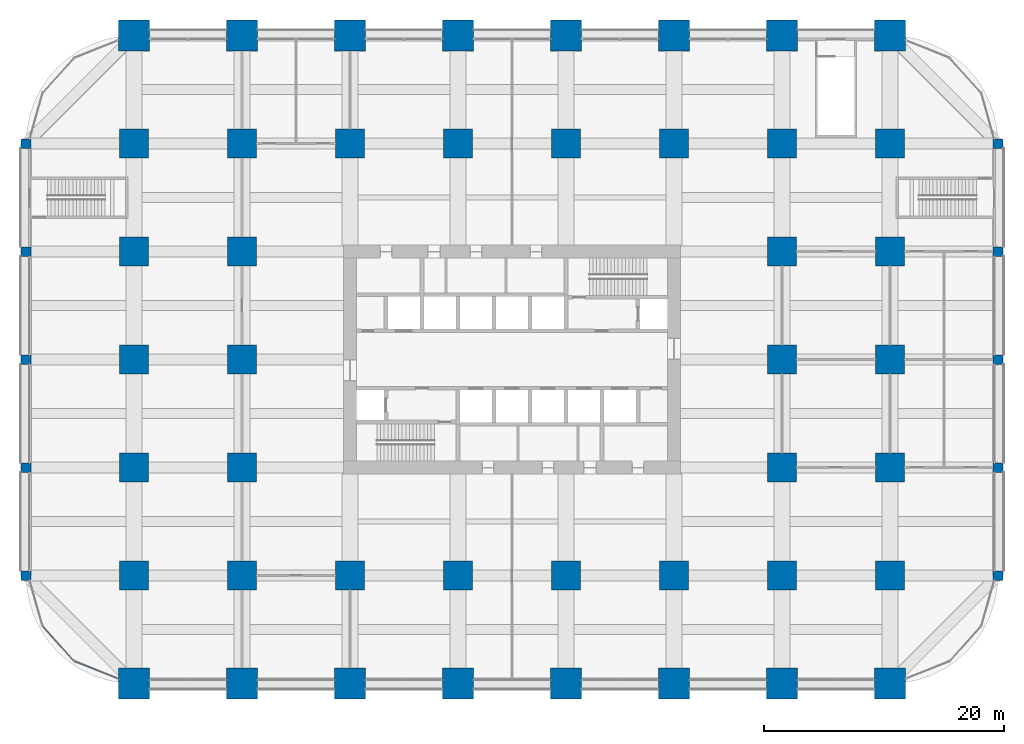
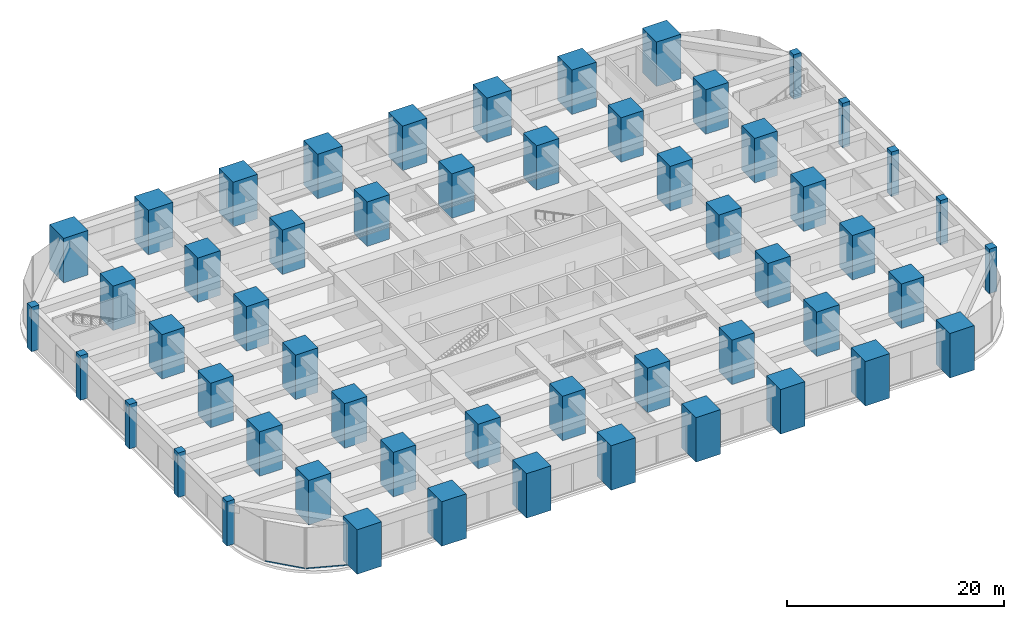
# One storey, part 1 of 46: 54 columns, 2 members, 2 elements without a shape of their own.
"""IFC4 building model written with IfcOpenShell, lengths in metres."""

from ifc_helpers import new_model, si_unit, direction, frame, origin, origin_2d, place, context, subcontext, project, spatial, rectangle, hollow_rectangle, extrude, material, material_profile, profile_set, type_object, element, aggregate, save


model = new_model("IFC4")

# Units and contexts
model_context = context("Model", 3, precision=1e-05, world=origin(), true_north=direction((0.0, 1.0)))
body_context = subcontext(model_context, "Body", "Model", "MODEL_VIEW")
ifc_project = project(units=[si_unit("LENGTHUNIT", "METRE"), si_unit("AREAUNIT", "SQUARE_METRE"), si_unit("VOLUMEUNIT", "CUBIC_METRE"), si_unit("PLANEANGLEUNIT", "RADIAN"), si_unit("MASSUNIT", "GRAM", prefix="KILO")], contexts=[model_context])

# Site, building, storey
site_placement = place(None, origin())
site = spatial("IfcSite", under=ifc_project, at=site_placement, CompositionType="ELEMENT")
building_placement = place(site_placement, origin())
building = spatial("IfcBuilding", under=site, at=building_placement, Name="Zorevar Civic Tower", CompositionType="ELEMENT")
storey_placement = place(building_placement, frame((0.0, 0.0, 10.800048828125)))
storey = spatial("IfcBuildingStorey", under=building, at=storey_placement, Name="L02", CompositionType="ELEMENT", Elevation=10.800048828125)

# Columns
ifc_material_1 = material(Name="Concrete C50/60", Category="concrete")
ifc_material_profile_1 = material_profile(ifc_material_1, rectangle(XDim=2.39990234375, YDim=2.39990234375, at=origin_2d()), Name="RC 2400x2400")
ifc_profile_set_1 = profile_set([ifc_material_profile_1], Name="Concrete C50/60")
column_type_1 = type_object("IfcColumnType", Name="Column RC 2400x2400", PredefinedType="COLUMN", material=ifc_profile_set_1)
for number, where, z_axis, x_axis, name in (
    (1, (0.0, 9.0, 0.0), (0.0, 0.0, 1.0), (1.0, 0.0, 0.0), "Column 2B L02"),
    (2, (0.0, 18.0, 0.0), (0.0, 0.0, 1.0), (1.0, 0.0, 0.0), "Column 2C L02"),
    (3, (0.0, 27.0, 0.0), (0.0, 0.0, 1.0), (1.0, 0.0, 0.0), "Column 2D L02"),
    (4, (0.0, 36.0, 0.0), (0.0, 0.0, 1.0), (1.0, 0.0, 0.0), "Column 2E L02"),
    (5, (0.0, 45.0, 0.0), (0.0, 0.0, 1.0), (1.0, 0.0, 0.0), "Column 2F L02"),
    (6, (9.0, 9.0, 0.0), (0.0, 0.0, 1.0), (1.0, 0.0, 0.0), "Column 3B L02"),
    (7, (9.0, 18.0, 0.0), (0.0, 0.0, 1.0), (1.0, 0.0, 0.0), "Column 3C L02"),
    (8, (9.0, 27.0, 0.0), (0.0, 0.0, 1.0), (1.0, 0.0, 0.0), "Column 3D L02"),
    (9, (9.0, 36.0, 0.0), (0.0, 0.0, 1.0), (1.0, 0.0, 0.0), "Column 3E L02"),
    (10, (9.0, 45.0, 0.0), (0.0, 0.0, 1.0), (1.0, 0.0, 0.0), "Column 3F L02"),
    (11, (18.0, 9.0, 0.0), (0.0, 0.0, 1.0), (1.0, 0.0, 0.0), "Column 4B L02"),
    (12, (18.0, 45.0, 0.0), (0.0, 0.0, 1.0), (1.0, 0.0, 0.0), "Column 4F L02"),
    (13, (27.0, 9.0, 0.0), (0.0, 0.0, 1.0), (1.0, 0.0, 0.0), "Column 5B L02"),
    (14, (27.0, 45.0, 0.0), (0.0, 0.0, 1.0), (1.0, 0.0, 0.0), "Column 5F L02"),
    (15, (36.0, 9.0, 0.0), (0.0, 0.0, 1.0), (1.0, 0.0, 0.0), "Column 6B L02"),
    (16, (36.0, 45.0, 0.0), (0.0, 0.0, 1.0), (1.0, 0.0, 0.0), "Column 6F L02"),
    (17, (45.0, 9.0, 0.0), (0.0, 0.0, 1.0), (1.0, 0.0, 0.0), "Column 7B L02"),
    (18, (45.0, 45.0, 0.0), (0.0, 0.0, 1.0), (1.0, 0.0, 0.0), "Column 7F L02"),
    (19, (54.0, 9.0, 0.0), (0.0, 0.0, 1.0), (1.0, 0.0, 0.0), "Column 8B L02"),
    (20, (54.0, 18.0, 0.0), (0.0, 0.0, 1.0), (1.0, 0.0, 0.0), "Column 8C L02"),
    (21, (54.0, 27.0, 0.0), (0.0, 0.0, 1.0), (1.0, 0.0, 0.0), "Column 8D L02"),
    (22, (54.0, 36.0, 0.0), (0.0, 0.0, 1.0), (1.0, 0.0, 0.0), "Column 8E L02"),
    (23, (54.0, 45.0, 0.0), (0.0, 0.0, 1.0), (1.0, 0.0, 0.0), "Column 8F L02"),
    (24, (63.0, 9.0, 0.0), (0.0, 0.0, 1.0), (1.0, 0.0, 0.0), "Column 9B L02"),
    (25, (63.0, 18.0, 0.0), (0.0, 0.0, 1.0), (1.0, 0.0, 0.0), "Column 9C L02"),
    (26, (63.0, 27.0, 0.0), (0.0, 0.0, 1.0), (1.0, 0.0, 0.0), "Column 9D L02"),
    (27, (63.0, 36.0, 0.0), (0.0, 0.0, 1.0), (1.0, 0.0, 0.0), "Column 9E L02"),
    (28, (63.0, 45.0, 0.0), (0.0, 0.0, 1.0), (1.0, 0.0, 0.0), "Column 9F L02"),
):
    element("IfcColumn", number, at=place(storey_placement, frame(where, z_axis=z_axis, x_axis=x_axis)), inside=storey, type_object=column_type_1, Name=name, PredefinedType="COLUMN", context=body_context, shape_type="SweptSolid", body=[
        extrude(rectangle(XDim=2.39990234375, YDim=2.39990234375, at=origin_2d()), origin(), (0.0, 0.0, 1.0), 5.0),
    ])
ifc_material_2 = material(Name="Concrete C50/60", Category="concrete")
ifc_material_profile_2 = material_profile(ifc_material_2, rectangle(XDim=2.60009765625, YDim=2.60009765625, at=origin_2d()), Name="RC 2600x2600")
ifc_profile_set_2 = profile_set([ifc_material_profile_2], Name="Concrete C50/60")
column_type_2 = type_object("IfcColumnType", Name="Column RC 2600x2600", PredefinedType="COLUMN", material=ifc_profile_set_2)
for number, where, z_axis, x_axis, name in (
    (29, (0.0, 0.0, 0.0), (0.0, 0.0, 1.0), (1.0, 0.0, 0.0), "Column 2A L02"),
    (30, (0.0, 54.0, 0.0), (0.0, 0.0, 1.0), (1.0, 0.0, 0.0), "Column 2G L02"),
    (31, (9.0, 0.0, 0.0), (0.0, 0.0, 1.0), (1.0, 0.0, 0.0), "Column 3A L02"),
    (32, (9.0, 54.0, 0.0), (0.0, 0.0, 1.0), (1.0, 0.0, 0.0), "Column 3G L02"),
    (33, (18.0, 0.0, 0.0), (0.0, 0.0, 1.0), (1.0, 0.0, 0.0), "Column 4A L02"),
    (34, (18.0, 54.0, 0.0), (0.0, 0.0, 1.0), (1.0, 0.0, 0.0), "Column 4G L02"),
    (35, (27.0, 0.0, 0.0), (0.0, 0.0, 1.0), (1.0, 0.0, 0.0), "Column 5A L02"),
    (36, (27.0, 54.0, 0.0), (0.0, 0.0, 1.0), (1.0, 0.0, 0.0), "Column 5G L02"),
    (37, (36.0, 0.0, 0.0), (0.0, 0.0, 1.0), (1.0, 0.0, 0.0), "Column 6A L02"),
    (38, (36.0, 54.0, 0.0), (0.0, 0.0, 1.0), (1.0, 0.0, 0.0), "Column 6G L02"),
    (39, (45.0, 0.0, 0.0), (0.0, 0.0, 1.0), (1.0, 0.0, 0.0), "Column 7A L02"),
    (40, (45.0, 54.0, 0.0), (0.0, 0.0, 1.0), (1.0, 0.0, 0.0), "Column 7G L02"),
    (41, (54.0, 0.0, 0.0), (0.0, 0.0, 1.0), (1.0, 0.0, 0.0), "Column 8A L02"),
    (42, (54.0, 54.0, 0.0), (0.0, 0.0, 1.0), (1.0, 0.0, 0.0), "Column 8G L02"),
    (43, (63.0, 0.0, 0.0), (0.0, 0.0, 1.0), (1.0, 0.0, 0.0), "Column 9A L02"),
    (44, (63.0, 54.0, 0.0), (0.0, 0.0, 1.0), (1.0, 0.0, 0.0), "Column 9G L02"),
):
    element("IfcColumn", number, at=place(storey_placement, frame(where, z_axis=z_axis, x_axis=x_axis)), inside=storey, type_object=column_type_2, Name=name, PredefinedType="COLUMN", context=body_context, shape_type="SweptSolid", body=[
        extrude(rectangle(XDim=2.60009765625, YDim=2.60009765625, at=origin_2d()), origin(), (0.0, 0.0, 1.0), 5.0),
    ])
ifc_material_3 = material(Name="Concrete C50/60", Category="concrete")
ifc_material_profile_3 = material_profile(ifc_material_3, rectangle(XDim=0.800048828125, YDim=0.800048828125, at=origin_2d()), Name="RC 800x800")
ifc_profile_set_3 = profile_set([ifc_material_profile_3], Name="Concrete C50/60")
column_type_3 = type_object("IfcColumnType", Name="Column RC 800x800", PredefinedType="COLUMN", material=ifc_profile_set_3)
for number, where, z_axis, x_axis, name in (
    (45, (-9.0, 9.0, 0.0), (0.0, 0.0, 1.0), (1.0, 0.0, 0.0), "Column 1B L02"),
    (46, (-9.0, 18.0, 0.0), (0.0, 0.0, 1.0), (1.0, 0.0, 0.0), "Column 1C L02"),
    (47, (-9.0, 27.0, 0.0), (0.0, 0.0, 1.0), (1.0, 0.0, 0.0), "Column 1D L02"),
    (48, (-9.0, 36.0, 0.0), (0.0, 0.0, 1.0), (1.0, 0.0, 0.0), "Column 1E L02"),
    (49, (-9.0, 45.0, 0.0), (0.0, 0.0, 1.0), (1.0, 0.0, 0.0), "Column 1F L02"),
    (50, (72.0, 9.0, 0.0), (0.0, 0.0, 1.0), (1.0, 0.0, 0.0), "Column 10B L02"),
    (51, (72.0, 18.0, 0.0), (0.0, 0.0, 1.0), (1.0, 0.0, 0.0), "Column 10C L02"),
    (52, (72.0, 27.0, 0.0), (0.0, 0.0, 1.0), (1.0, 0.0, 0.0), "Column 10D L02"),
    (53, (72.0, 36.0, 0.0), (0.0, 0.0, 1.0), (1.0, 0.0, 0.0), "Column 10E L02"),
    (54, (72.0, 45.0, 0.0), (0.0, 0.0, 1.0), (1.0, 0.0, 0.0), "Column 10F L02"),
):
    element("IfcColumn", number, at=place(storey_placement, frame(where, z_axis=z_axis, x_axis=x_axis)), inside=storey, type_object=column_type_3, Name=name, PredefinedType="COLUMN", context=body_context, shape_type="SweptSolid", body=[
        extrude(rectangle(XDim=0.800048828125, YDim=0.800048828125, at=origin_2d()), origin(), (0.0, 0.0, 1.0), 5.0),
    ])

# Curtain wall, member
ifc_material_4 = material(Name="Dark grey solar-control glass in black aluminium frame", Category="aluminium")
curtain_wall_type = type_object("IfcCurtainWallType", Name="Curtain wall CW1 podium", PredefinedType="NOTDEFINED", material=ifc_material_4)
curtain_wall_1_placement = place(storey_placement, origin())
curtain_wall_1 = element("IfcCurtainWall", 55, at=curtain_wall_1_placement, inside=storey, type_object=curtain_wall_type, Name="CW1 L02", PredefinedType="NOTDEFINED")
ifc_material_5 = material(Name="Aluminium, black anodised", Category="aluminium")
ifc_material_profile_4 = material_profile(ifc_material_5, hollow_rectangle(XDim=0.06005859375, YDim=0.14990234375, WallThickness=0.00390625, at=origin_2d()), Name="AL 150x60x4")
ifc_profile_set_4 = profile_set([ifc_material_profile_4], Name="Aluminium, black anodised")
member_type = type_object("IfcMemberType", Name="CW1 transom AL 150x60x4", PredefinedType="USERDEFINED", material=ifc_profile_set_4)
member_1_placement = place(storey_placement, frame((-7.576904296875, 4.751953125, 0.030029296875), z_axis=(0.669390521788, -0.742910714245, 0.0), x_axis=(0.742910714245, 0.669390521788, 0.0)))
member_1 = element("IfcMember", 56, at=member_1_placement, type_object=member_type, Name="CW1 sill transom", ObjectType="TRANSOM", PredefinedType="USERDEFINED", context=body_context, shape_type="SweptSolid", body=[
    extrude(hollow_rectangle(XDim=0.06005859375, YDim=0.14990234375, WallThickness=0.00390625, at=origin_2d()), origin(), (0.0, 0.0, 1.0), 3.83203125),
])
aggregate(curtain_wall_1, [member_1])

curtain_wall_2_placement = place(storey_placement, origin())
curtain_wall_2 = element("IfcCurtainWall", 57, at=curtain_wall_2_placement, inside=storey, type_object=curtain_wall_type, Name="CW1 L02", PredefinedType="NOTDEFINED")
member_2_placement = place(storey_placement, frame((-4.915771484375, 1.838134765625, 0.030029296875), z_axis=(0.928998620575, -0.370083183851, 0.0), x_axis=(0.370083183851, 0.928998620575, 0.0)))
member_2 = element("IfcMember", 58, at=member_2_placement, type_object=member_type, Name="CW1 sill transom", ObjectType="TRANSOM", PredefinedType="USERDEFINED", context=body_context, shape_type="SweptSolid", body=[
    extrude(hollow_rectangle(XDim=0.06005859375, YDim=0.14990234375, WallThickness=0.00390625, at=origin_2d()), origin(), (0.0, 0.0, 1.0), 3.83203125),
])
aggregate(curtain_wall_2, [member_2])

save(model, "model.ifc")
